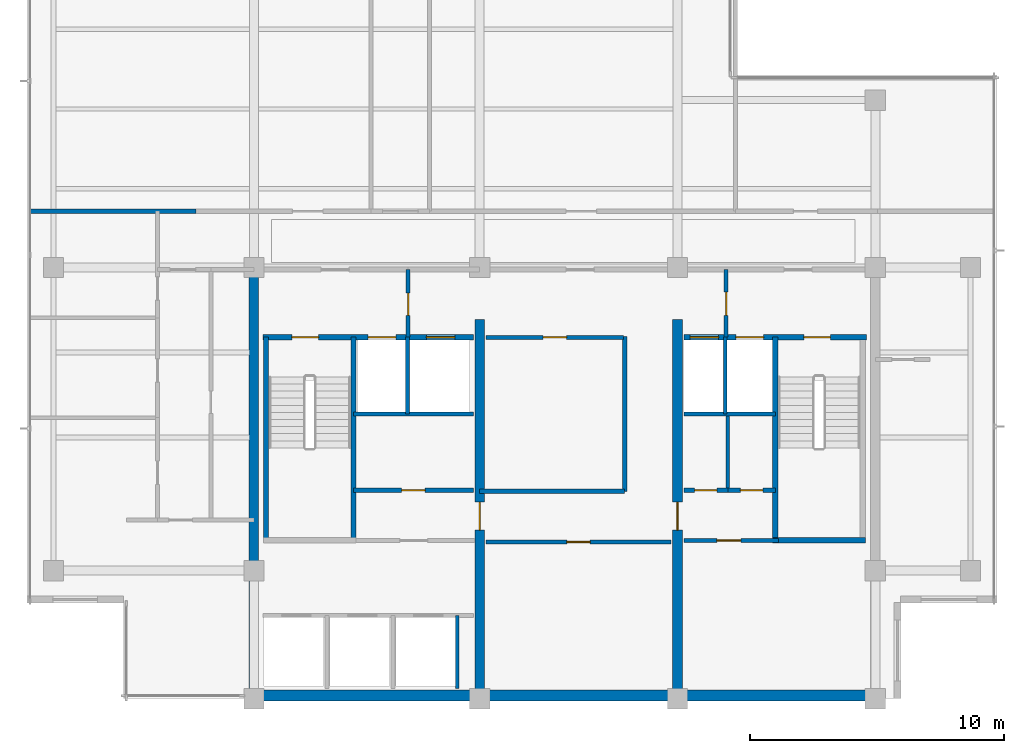
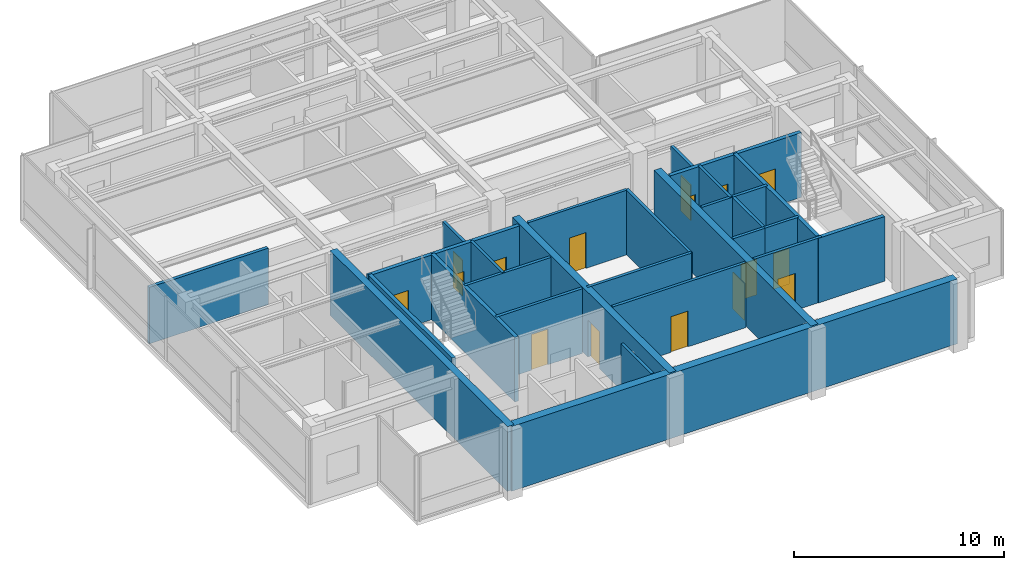
# One storey, part 6 of 11: 27 walls, 16 doors, 16 openings.
"""IFC4 building model written with IfcOpenShell, lengths in metres."""

from ifc_helpers import new_model, si_unit, direction, frame, frame_2d, origin, place, context, subcontext, project, spatial, rectangle, extrude, material, layer, layer_set, type_object, element, fill, save


model = new_model("IFC4")

# Units and contexts
model_context = context("Model", 3, precision=1e-05, world=origin(), true_north=direction((0.0, 1.0)))
body_context = subcontext(model_context, "Body", "Model", "MODEL_VIEW")
ifc_project = project(units=[si_unit("LENGTHUNIT", "METRE"), si_unit("AREAUNIT", "SQUARE_METRE"), si_unit("VOLUMEUNIT", "CUBIC_METRE"), si_unit("PLANEANGLEUNIT", "RADIAN"), si_unit("MASSUNIT", "GRAM", prefix="KILO")], contexts=[model_context])

# Site, building, storey
site_placement = place(None, origin())
site = spatial("IfcSite", under=ifc_project, at=site_placement, CompositionType="ELEMENT")
building_placement = place(site_placement, origin())
building = spatial("IfcBuilding", under=site, at=building_placement, Name="Qalmaran Belvedere Hotel", CompositionType="ELEMENT")
storey_placement = place(building_placement, frame((0.0, 0.0, 289.89990234375)))
storey = spatial("IfcBuildingStorey", under=building, at=storey_placement, Name="L75", CompositionType="ELEMENT", Elevation=289.89990234375)

# Wall
ifc_material_1 = material(Name="Concrete C50/60", Category="concrete")
ifc_layer_1 = layer(ifc_material_1, 0.3798828125, Name="Concrete C50/60")
ifc_layer_set_1 = layer_set([ifc_layer_1], Name="Concrete C50/60")
wall_type_1 = type_object("IfcWallType", Name="WL-CORE-380-C50", PredefinedType="SHEAR", material=ifc_layer_set_1)
wall_1_placement = place(storey_placement, frame((20.300048828125, 3.5, 0.0), z_axis=(0.0, 0.0, 1.0), x_axis=(0.0, 1.0, 0.0)))
element("IfcWall", 1, at=wall_1_placement, inside=storey, type_object=wall_type_1, Name="L75 West Core Shear Wall", PredefinedType="SHEAR", context=body_context, shape_type="SweptSolid", body=[
    extrude(rectangle(XDim=16.89990234375, YDim=0.3798828125, at=frame_2d((8.449951171875, 0.0))), origin(), (0.0, 0.0, 1.0), 3.760009765625),
])

# Wall, opening, door
wall_2_placement = place(storey_placement, frame((29.199951171875, 3.5, 0.0), z_axis=(0.0, 0.0, 1.0), x_axis=(0.0, 1.0, 0.0)))
wall_2 = element("IfcWall", 2, at=wall_2_placement, inside=storey, type_object=wall_type_1, Name="L75 Core West Spine Shear Wall", PredefinedType="SHEAR", context=body_context, shape_type="SweptSolid", body=[
    extrude(rectangle(XDim=14.949951171875, YDim=0.3798828125, at=frame_2d((7.47509765625, 0.0))), origin(), (0.0, 0.0, 1.0), 3.760009765625),
])
opening_1_placement = place(wall_2_placement, frame((7.75, 0.0, 0.0), z_axis=(0.0, 0.0, 1.0), x_axis=(-1.0, 0.0, 0.0)))
opening_1 = element("IfcOpeningElement", 3, at=opening_1_placement, cuts=wall_2, Name="Opening FD90", PredefinedType="OPENING", context=body_context, shape_type="SweptSolid", body=[
    extrude(rectangle(XDim=1.10009765625, YDim=2.14990234375, at=frame_2d((0.550048828125, 1.074951171875))), frame((0.0, 0.199951171875, 0.0), z_axis=(0.0, -1.0, 0.0), x_axis=(1.0, 0.0, 0.0)), (0.0, 0.0, 1.0), 0.39990234375),
])
ifc_material_2 = material(Name="Steel S355JR", Category="steel")
door_type_1 = type_object("IfcDoorType", Name="DR-FD90-1100X2150", OperationType="NOTDEFINED", PredefinedType="DOOR", material=ifc_material_2)
door_1_placement = place(opening_1_placement, origin())
door_1 = element("IfcDoor", 4, at=door_1_placement, inside=storey, type_object=door_type_1, Name="L75 Core West Cross-Lobby Door", OperationType="SINGLE_SWING_RIGHT", OverallHeight=2.14990234375, OverallWidth=1.10009765625, PredefinedType="DOOR", context=body_context, shape_type="SweptSolid", body=[
    extrude(rectangle(XDim=1.10009765625, YDim=2.14990234375, at=frame_2d((0.550048828125, 1.074951171875))), frame((0.0, 0.02490234375, 0.0), z_axis=(0.0, -1.0, 0.0), x_axis=(1.0, 0.0, 0.0)), (0.0, 0.0, 1.0), 0.050048828125),
])
fill(opening_1, door_1)

wall_3_placement = place(storey_placement, frame((37.0, 3.5, 0.0), z_axis=(0.0, 0.0, 1.0), x_axis=(0.0, 1.0, 0.0)))
wall_3 = element("IfcWall", 5, at=wall_3_placement, inside=storey, type_object=wall_type_1, Name="L75 Core East Spine Shear Wall", PredefinedType="SHEAR", context=body_context, shape_type="SweptSolid", body=[
    extrude(rectangle(XDim=14.949951171875, YDim=0.3798828125, at=frame_2d((7.47509765625, 0.0))), origin(), (0.0, 0.0, 1.0), 3.760009765625),
])
opening_2_placement = place(wall_3_placement, frame((6.64990234375, 0.0, 0.0)))
opening_2 = element("IfcOpeningElement", 6, at=opening_2_placement, cuts=wall_3, Name="Opening FD90", PredefinedType="OPENING", context=body_context, shape_type="SweptSolid", body=[
    extrude(rectangle(XDim=1.10009765625, YDim=2.14990234375, at=frame_2d((0.550048828125, 1.074951171875))), frame((0.0, 0.199951171875, 0.0), z_axis=(0.0, -1.0, 0.0), x_axis=(1.0, 0.0, 0.0)), (0.0, 0.0, 1.0), 0.39990234375),
])
door_2_placement = place(opening_2_placement, origin())
door_2 = element("IfcDoor", 7, at=door_2_placement, inside=storey, type_object=door_type_1, Name="L75 Core East Cross-Lobby Door", OperationType="SINGLE_SWING_LEFT", OverallHeight=2.14990234375, OverallWidth=1.10009765625, PredefinedType="DOOR", context=body_context, shape_type="SweptSolid", body=[
    extrude(rectangle(XDim=1.10009765625, YDim=2.14990234375, at=frame_2d((0.550048828125, 1.074951171875))), frame((0.0, 0.02490234375, 0.0), z_axis=(0.0, -1.0, 0.0), x_axis=(1.0, 0.0, 0.0)), (0.0, 0.0, 1.0), 0.050048828125),
])
fill(opening_2, door_2)

# Walls
ifc_layer_2 = layer(ifc_material_1, 0.43994140625, Name="Concrete C50/60")
ifc_layer_set_2 = layer_set([ifc_layer_2], Name="Concrete C50/60")
wall_type_2 = type_object("IfcWallType", Name="WL-CORES-440-EXT", PredefinedType="SHEAR", material=ifc_layer_set_2)
wall_4_placement = place(storey_placement, frame((20.300048828125, 3.6298828125, 0.0), z_axis=(0.0, 0.0, 1.0), x_axis=(1.0, 0.0, 0.0)))
element("IfcWall", 8, at=wall_4_placement, inside=storey, type_object=wall_type_2, Name="L75 South Core Shear Wall", PredefinedType="SHEAR", context=body_context, shape_type="SweptSolid", body=[
    extrude(rectangle(XDim=24.5, YDim=0.43994140625, at=frame_2d((12.25, 0.0))), origin(), (0.0, 0.0, 1.0), 3.760009765625),
])
ifc_material_3 = material(Name="Gypsum Stud Partition")
ifc_layer_3 = layer(ifc_material_3, 0.14990234375, Name="Gypsum Stud Partition")
ifc_layer_set_3 = layer_set([ifc_layer_3], Name="Gypsum Stud Partition")
wall_type_3 = type_object("IfcWallType", Name="WL-INT-150-EI120", PredefinedType="PARTITIONING", material=ifc_layer_set_3)
for number, where, z_axis, x_axis, name in (
    (9, (26.360107421875, 14.719970703125, 0.0), (0.0, 0.0, 1.0), (0.0, 1.0, 0.0), "L75 Partition WL-FF1M-L75"),
    (10, (38.8798828125, 14.719970703125, 0.0), (0.0, 0.0, 1.0), (0.0, 1.0, 0.0), "L75 Partition WL-FF2M-L75"),
):
    element("IfcWall", number, at=place(storey_placement, frame(where, z_axis=z_axis, x_axis=x_axis)), inside=storey, type_object=wall_type_3, Name=name, PredefinedType="PARTITIONING", context=body_context, shape_type="SweptSolid", body=[
        extrude(rectangle(XDim=3.0400390625, YDim=0.14990234375, at=frame_2d((1.52001953125, 0.0))), origin(), (0.0, 0.0, 1.0), 3.760009765625),
    ])
wall_5_placement = place(storey_placement, frame((28.320068359375, 3.89990234375, 0.0), z_axis=(0.0, 0.0, 1.0), x_axis=(0.0, 1.0, 0.0)))
element("IfcWall", 11, at=wall_5_placement, inside=storey, type_object=wall_type_3, Name="L75 Partition WL-POM3-L75", PredefinedType="PARTITIONING", context=body_context, shape_type="SweptSolid", body=[
    extrude(rectangle(XDim=2.880126953125, YDim=0.14990234375, at=frame_2d((1.43994140625, 0.0))), origin(), (0.0, 0.0, 1.0), 3.760009765625),
])
ifc_layer_4 = layer(ifc_material_3, 0.14990234375, Name="Gypsum Stud Partition")
ifc_layer_set_4 = layer_set([ifc_layer_4], Name="Gypsum Stud Partition")
wall_type_4 = type_object("IfcWallType", Name="WL-INT-150-EI60", PredefinedType="PARTITIONING", material=ifc_layer_set_4)
wall_6_placement = place(storey_placement, frame((38.98291015625, 11.719970703125, 0.0), z_axis=(0.0, 0.0, 1.0), x_axis=(0.0, 1.0, 0.0)))
element("IfcWall", 12, at=wall_6_placement, inside=storey, type_object=wall_type_4, Name="L75 Partition WL-L75-KEV1", PredefinedType="PARTITIONING", context=body_context, shape_type="SweptSolid", body=[
    extrude(rectangle(XDim=2.929931640625, YDim=0.14990234375, at=frame_2d((1.46484375, 0.0))), origin(), (0.0, 0.0, 1.0), 3.760009765625),
])

# Wall, opening, door
ifc_layer_5 = layer(ifc_material_3, 0.159912109375, Name="Gypsum Stud Partition")
ifc_layer_set_5 = layer_set([ifc_layer_5], Name="Gypsum Stud Partition")
wall_type_5 = type_object("IfcWallType", Name="WL-INT-160-EI120", PredefinedType="PARTITIONING", material=ifc_layer_set_5)
wall_7_placement = place(storey_placement, frame((26.3798828125, 17.760009765625, 0.0), z_axis=(0.0, 0.0, 1.0), x_axis=(0.0, 1.0, 0.0)))
wall_7 = element("IfcWall", 13, at=wall_7_placement, inside=storey, type_object=wall_type_5, Name="L75 Partition WL-FFSV1-L75", PredefinedType="PARTITIONING", context=body_context, shape_type="SweptSolid", body=[
    extrude(rectangle(XDim=2.659912109375, YDim=0.159912109375, at=frame_2d((1.330078125, 0.0))), origin(), (0.0, 0.0, 1.0), 3.281982421875),
])
opening_3_placement = place(wall_7_placement, frame((0.85009765625, 0.0, 0.0)))
opening_3 = element("IfcOpeningElement", 14, at=opening_3_placement, cuts=wall_7, Name="Opening FD60B", PredefinedType="OPENING", context=body_context, shape_type="SweptSolid", body=[
    extrude(rectangle(XDim=0.8798828125, YDim=2.080078125, at=frame_2d((0.43994140625, 1.0400390625))), frame((0.0, 0.08984375, 0.0), z_axis=(0.0, -1.0, 0.0), x_axis=(1.0, 0.0, 0.0)), (0.0, 0.0, 1.0), 0.179931640625),
])
door_type_2 = type_object("IfcDoorType", Name="DR-FD60B-880X2080", OperationType="NOTDEFINED", PredefinedType="DOOR", material=ifc_material_2)
door_3_placement = place(opening_3_placement, origin())
door_3 = element("IfcDoor", 15, at=door_3_placement, inside=storey, type_object=door_type_2, Name="L75 Service Lobby West Door", OperationType="SINGLE_SWING_RIGHT", OverallHeight=2.080078125, OverallWidth=0.8798828125, PredefinedType="DOOR", context=body_context, shape_type="SweptSolid", body=[
    extrude(rectangle(XDim=0.8798828125, YDim=2.080078125, at=frame_2d((0.43994140625, 1.0400390625))), frame((0.0, 0.02490234375, 0.0), z_axis=(0.0, -1.0, 0.0), x_axis=(1.0, 0.0, 0.0)), (0.0, 0.0, 1.0), 0.050048828125),
])
fill(opening_3, door_3)

wall_8_placement = place(storey_placement, frame((38.919921875, 17.760009765625, 0.0), z_axis=(0.0, 0.0, 1.0), x_axis=(0.0, 1.0, 0.0)))
wall_8 = element("IfcWall", 16, at=wall_8_placement, inside=storey, type_object=wall_type_5, Name="L75 Partition WL-FFSV2-L75", PredefinedType="PARTITIONING", context=body_context, shape_type="SweptSolid", body=[
    extrude(rectangle(XDim=2.659912109375, YDim=0.159912109375, at=frame_2d((1.330078125, 0.0))), origin(), (0.0, 0.0, 1.0), 3.281982421875),
])
opening_4_placement = place(wall_8_placement, frame((1.77001953125, 0.0, 0.0), z_axis=(0.0, 0.0, 1.0), x_axis=(-1.0, 0.0, 0.0)))
opening_4 = element("IfcOpeningElement", 17, at=opening_4_placement, cuts=wall_8, Name="Opening FD60S1", PredefinedType="OPENING", context=body_context, shape_type="SweptSolid", body=[
    extrude(rectangle(XDim=0.919921875, YDim=2.080078125, at=frame_2d((0.4599609375, 1.0400390625))), frame((0.0, 0.08984375, 0.0), z_axis=(0.0, -1.0, 0.0), x_axis=(1.0, 0.0, 0.0)), (0.0, 0.0, 1.0), 0.179931640625),
])
ifc_material_4 = material(Name="Engineered Oak Veneer")
door_type_3 = type_object("IfcDoorType", Name="DR-FD60S-920X2080", OperationType="NOTDEFINED", PredefinedType="DOOR", material=ifc_material_4)
door_4_placement = place(opening_4_placement, origin())
door_4 = element("IfcDoor", 18, at=door_4_placement, inside=storey, type_object=door_type_3, Name="L75 Service Lobby East Door", OperationType="SINGLE_SWING_LEFT", OverallHeight=2.080078125, OverallWidth=0.919921875, PredefinedType="DOOR", context=body_context, shape_type="SweptSolid", body=[
    extrude(rectangle(XDim=0.919921875, YDim=2.080078125, at=frame_2d((0.4599609375, 1.0400390625))), frame((0.0, 0.02490234375, 0.0), z_axis=(0.0, -1.0, 0.0), x_axis=(1.0, 0.0, 0.0)), (0.0, 0.0, 1.0), 0.050048828125),
])
fill(opening_4, door_4)

# Walls
wall_9_placement = place(storey_placement, frame((24.219970703125, 14.719970703125, 0.0), z_axis=(0.0, 0.0, 1.0), x_axis=(1.0, 0.0, 0.0)))
element("IfcWall", 19, at=wall_9_placement, inside=storey, type_object=wall_type_5, Name="L75 Partition WL-FF1S-L75", PredefinedType="PARTITIONING", context=body_context, shape_type="SweptSolid", body=[
    extrude(rectangle(XDim=4.72998046875, YDim=0.159912109375, at=frame_2d((2.364990234375, 0.0))), origin(), (0.0, 0.0, 1.0), 3.760009765625),
])
wall_10_placement = place(storey_placement, frame((37.25, 14.719970703125, 0.0), z_axis=(0.0, 0.0, 1.0), x_axis=(1.0, 0.0, 0.0)))
element("IfcWall", 20, at=wall_10_placement, inside=storey, type_object=wall_type_5, Name="L75 Partition WL-FF2S-L75", PredefinedType="PARTITIONING", context=body_context, shape_type="SweptSolid", body=[
    extrude(rectangle(XDim=3.610107421875, YDim=0.159912109375, at=frame_2d((1.80517578125, 0.0))), origin(), (0.0, 0.0, 1.0), 3.760009765625),
])

# Wall, opening, door
ifc_layer_6 = layer(ifc_material_3, 0.159912109375, Name="Gypsum Stud Partition")
ifc_layer_set_6 = layer_set([ifc_layer_6], Name="Gypsum Stud Partition")
wall_type_6 = type_object("IfcWallType", Name="WL-INT-160-EI60", PredefinedType="PARTITIONING", material=ifc_layer_set_6)
wall_11_placement = place(storey_placement, frame((24.219970703125, 11.719970703125, 0.0), z_axis=(0.0, 0.0, 1.0), x_axis=(1.0, 0.0, 0.0)))
wall_11 = element("IfcWall", 21, at=wall_11_placement, inside=storey, type_object=wall_type_6, Name="L75 Partition WL-L75-KWE1", PredefinedType="PARTITIONING", context=body_context, shape_type="SweptSolid", body=[
    extrude(rectangle(XDim=4.72998046875, YDim=0.159912109375, at=frame_2d((2.364990234375, 0.0))), origin(), (0.0, 0.0, 1.0), 3.760009765625),
])
opening_5_placement = place(wall_11_placement, frame((1.905029296875, 0.0, 0.0)))
opening_5 = element("IfcOpeningElement", 22, at=opening_5_placement, cuts=wall_11, Name="Opening FD60S1", PredefinedType="OPENING", context=body_context, shape_type="SweptSolid", body=[
    extrude(rectangle(XDim=0.919921875, YDim=2.080078125, at=frame_2d((0.4599609375, 1.0400390625))), frame((0.0, 0.08984375, 0.0), z_axis=(0.0, -1.0, 0.0), x_axis=(1.0, 0.0, 0.0)), (0.0, 0.0, 1.0), 0.179931640625),
])
door_5_placement = place(opening_5_placement, origin())
door_5 = element("IfcDoor", 23, at=door_5_placement, inside=storey, type_object=door_type_3, Name="L75 Electrical Distribution Room Door", OperationType="SINGLE_SWING_LEFT", OverallHeight=2.080078125, OverallWidth=0.919921875, PredefinedType="DOOR", context=body_context, shape_type="SweptSolid", body=[
    extrude(rectangle(XDim=0.919921875, YDim=2.080078125, at=frame_2d((0.4599609375, 1.0400390625))), frame((0.0, 0.02490234375, 0.0), z_axis=(0.0, -1.0, 0.0), x_axis=(1.0, 0.0, 0.0)), (0.0, 0.0, 1.0), 0.050048828125),
])
fill(opening_5, door_5)

wall_12_placement = place(storey_placement, frame((37.25, 11.719970703125, 0.0), z_axis=(0.0, 0.0, 1.0), x_axis=(1.0, 0.0, 0.0)))
wall_12 = element("IfcWall", 24, at=wall_12_placement, inside=storey, type_object=wall_type_6, Name="L75 Partition WL-L75-KEE1", PredefinedType="PARTITIONING", context=body_context, shape_type="SweptSolid", body=[
    extrude(rectangle(XDim=1.73291015625, YDim=0.159912109375, at=frame_2d((0.866455078125, 0.0))), origin(), (0.0, 0.0, 1.0), 3.760009765625),
])
opening_6_placement = place(wall_12_placement, frame((0.426513671875, 0.0, 0.0)))
opening_6 = element("IfcOpeningElement", 25, at=opening_6_placement, cuts=wall_12, Name="Opening FD60B", PredefinedType="OPENING", context=body_context, shape_type="SweptSolid", body=[
    extrude(rectangle(XDim=0.8798828125, YDim=2.080078125, at=frame_2d((0.43994140625, 1.0400390625))), frame((0.0, 0.08984375, 0.0), z_axis=(0.0, -1.0, 0.0), x_axis=(1.0, 0.0, 0.0)), (0.0, 0.0, 1.0), 0.179931640625),
])
door_6_placement = place(opening_6_placement, origin())
door_6 = element("IfcDoor", 26, at=door_6_placement, inside=storey, type_object=door_type_2, Name="L75 Cleaner Equipment Store Door", OperationType="SINGLE_SWING_RIGHT", OverallHeight=2.080078125, OverallWidth=0.8798828125, PredefinedType="DOOR", context=body_context, shape_type="SweptSolid", body=[
    extrude(rectangle(XDim=0.8798828125, YDim=2.080078125, at=frame_2d((0.43994140625, 1.0400390625))), frame((0.0, 0.02490234375, 0.0), z_axis=(0.0, -1.0, 0.0), x_axis=(1.0, 0.0, 0.0)), (0.0, 0.0, 1.0), 0.050048828125),
])
fill(opening_6, door_6)

wall_13_placement = place(storey_placement, frame((38.98291015625, 11.719970703125, 0.0), z_axis=(0.0, 0.0, 1.0), x_axis=(1.0, 0.0, 0.0)))
wall_13 = element("IfcWall", 27, at=wall_13_placement, inside=storey, type_object=wall_type_6, Name="L75 Partition WL-L75-KEE2", PredefinedType="PARTITIONING", context=body_context, shape_type="SweptSolid", body=[
    extrude(rectangle(XDim=1.877197265625, YDim=0.159912109375, at=frame_2d((0.9384765625, 0.0))), origin(), (0.0, 0.0, 1.0), 3.760009765625),
])
opening_7_placement = place(wall_13_placement, frame((0.49853515625, 0.0, 0.0)))
opening_7 = element("IfcOpeningElement", 28, at=opening_7_placement, cuts=wall_13, Name="Opening FD60B", PredefinedType="OPENING", context=body_context, shape_type="SweptSolid", body=[
    extrude(rectangle(XDim=0.8798828125, YDim=2.080078125, at=frame_2d((0.43994140625, 1.0400390625))), frame((0.0, 0.08984375, 0.0), z_axis=(0.0, -1.0, 0.0), x_axis=(1.0, 0.0, 0.0)), (0.0, 0.0, 1.0), 0.179931640625),
])
door_7_placement = place(opening_7_placement, origin())
door_7 = element("IfcDoor", 29, at=door_7_placement, inside=storey, type_object=door_type_2, Name="L75 Low Voltage Switch Room Door", OperationType="SINGLE_SWING_LEFT", OverallHeight=2.080078125, OverallWidth=0.8798828125, PredefinedType="DOOR", context=body_context, shape_type="SweptSolid", body=[
    extrude(rectangle(XDim=0.8798828125, YDim=2.080078125, at=frame_2d((0.43994140625, 1.0400390625))), frame((0.0, 0.02490234375, 0.0), z_axis=(0.0, -1.0, 0.0), x_axis=(1.0, 0.0, 0.0)), (0.0, 0.0, 1.0), 0.050048828125),
])
fill(opening_7, door_7)

wall_14_placement = place(storey_placement, frame((37.25, 9.739990234375, 0.0), z_axis=(0.0, 0.0, 1.0), x_axis=(1.0, 0.0, 0.0)))
wall_14 = element("IfcWall", 30, at=wall_14_placement, inside=storey, type_object=wall_type_6, Name="L75 Partition WL-PHFR-L75", PredefinedType="PARTITIONING", context=body_context, shape_type="SweptSolid", body=[
    extrude(rectangle(XDim=3.72998046875, YDim=0.159912109375, at=frame_2d((1.864990234375, 0.0))), origin(), (0.0, 0.0, 1.0), 3.760009765625),
])
opening_8_placement = place(wall_14_placement, frame((2.25, 0.0, 0.0), z_axis=(0.0, 0.0, 1.0), x_axis=(-1.0, 0.0, 0.0)))
opening_8 = element("IfcOpeningElement", 31, at=opening_8_placement, cuts=wall_14, Name="Opening FD60", PredefinedType="OPENING", context=body_context, shape_type="SweptSolid", body=[
    extrude(rectangle(XDim=0.949951171875, YDim=2.14990234375, at=frame_2d((0.47509765625, 1.074951171875))), frame((0.0, 0.08984375, 0.0), z_axis=(0.0, -1.0, 0.0), x_axis=(1.0, 0.0, 0.0)), (0.0, 0.0, 1.0), 0.179931640625),
])
door_type_4 = type_object("IfcDoorType", Name="DR-FD60-950X2150", OperationType="NOTDEFINED", PredefinedType="DOOR", material=ifc_material_4)
door_8_placement = place(opening_8_placement, origin())
door_8 = element("IfcDoor", 32, at=door_8_placement, inside=storey, type_object=door_type_4, Name="L75 Freed PH Room Door", OperationType="SINGLE_SWING_LEFT", OverallHeight=2.14990234375, OverallWidth=0.949951171875, PredefinedType="DOOR", context=body_context, shape_type="SweptSolid", body=[
    extrude(rectangle(XDim=0.949951171875, YDim=2.14990234375, at=frame_2d((0.47509765625, 1.074951171875))), frame((0.0, 0.02490234375, 0.0), z_axis=(0.0, -1.0, 0.0), x_axis=(1.0, 0.0, 0.0)), (0.0, 0.0, 1.0), 0.050048828125),
])
fill(opening_8, door_8)

# Wall
wall_15_placement = place(storey_placement, frame((34.919921875, 11.679931640625, 0.0), z_axis=(0.0, 0.0, 1.0), x_axis=(0.0, 1.0, 0.0)))
element("IfcWall", 33, at=wall_15_placement, inside=storey, type_object=wall_type_6, Name="L75 Partition WL-CLLV-L75", PredefinedType="PARTITIONING", context=body_context, shape_type="SweptSolid", body=[
    extrude(rectangle(XDim=6.10009765625, YDim=0.159912109375, at=frame_2d((3.050048828125, 0.0))), origin(), (0.0, 0.0, 1.0), 3.760009765625),
])

# Wall, opening, door
wall_16_placement = place(storey_placement, frame((29.449951171875, 9.679931640625, 0.0), z_axis=(0.0, 0.0, 1.0), x_axis=(1.0, 0.0, 0.0)))
wall_16 = element("IfcWall", 34, at=wall_16_placement, inside=storey, type_object=wall_type_6, Name="L75 Partition WL-L75-KPLE1", PredefinedType="PARTITIONING", context=body_context, shape_type="SweptSolid", body=[
    extrude(rectangle(XDim=7.300048828125, YDim=0.159912109375, at=frame_2d((3.64990234375, 0.0))), origin(), (0.0, 0.0, 1.0), 3.760009765625),
])
opening_9_placement = place(wall_16_placement, frame((4.10986328125, 0.0, 0.0), z_axis=(0.0, 0.0, 1.0), x_axis=(-1.0, 0.0, 0.0)))
opening_9 = element("IfcOpeningElement", 35, at=opening_9_placement, cuts=wall_16, Name="Opening FD60S1", PredefinedType="OPENING", context=body_context, shape_type="SweptSolid", body=[
    extrude(rectangle(XDim=0.919921875, YDim=2.080078125, at=frame_2d((0.4599609375, 1.0400390625))), frame((0.0, 0.08984375, 0.0), z_axis=(0.0, -1.0, 0.0), x_axis=(1.0, 0.0, 0.0)), (0.0, 0.0, 1.0), 0.179931640625),
])
door_9_placement = place(opening_9_placement, origin())
door_9 = element("IfcDoor", 36, at=door_9_placement, inside=storey, type_object=door_type_3, Name="L75 Housekeeping and Linen Room Door", OperationType="SINGLE_SWING_RIGHT", OverallHeight=2.080078125, OverallWidth=0.919921875, PredefinedType="DOOR", context=body_context, shape_type="SweptSolid", body=[
    extrude(rectangle(XDim=0.919921875, YDim=2.080078125, at=frame_2d((0.4599609375, 1.0400390625))), frame((0.0, 0.02490234375, 0.0), z_axis=(0.0, -1.0, 0.0), x_axis=(1.0, 0.0, 0.0)), (0.0, 0.0, 1.0), 0.050048828125),
])
fill(opening_9, door_9)

# Wall
wall_17_placement = place(storey_placement, frame((29.199951171875, 11.679931640625, 0.0), z_axis=(0.0, 0.0, 1.0), x_axis=(1.0, 0.0, 0.0)))
element("IfcWall", 37, at=wall_17_placement, inside=storey, type_object=wall_type_6, Name="L75 Partition WL-PMFS-L75", PredefinedType="PARTITIONING", context=body_context, shape_type="SweptSolid", body=[
    extrude(rectangle(XDim=5.719970703125, YDim=0.159912109375, at=frame_2d((2.85986328125, 0.0))), origin(), (0.0, 0.0, 1.0), 3.760009765625),
])

# Wall, opening, door
wall_18_placement = place(storey_placement, frame((29.449951171875, 17.75, 0.0), z_axis=(0.0, 0.0, 1.0), x_axis=(1.0, 0.0, 0.0)))
wall_18 = element("IfcWall", 38, at=wall_18_placement, inside=storey, type_object=wall_type_6, Name="L75 Partition WL-L75-KPME1", PredefinedType="PARTITIONING", context=body_context, shape_type="SweptSolid", body=[
    extrude(rectangle(XDim=5.429931640625, YDim=0.159912109375, at=frame_2d((2.71484375, 0.0))), origin(), (0.0, 0.0, 1.0), 3.760009765625),
])
opening_10_placement = place(wall_18_placement, frame((3.1748046875, 0.0, 0.0), z_axis=(0.0, 0.0, 1.0), x_axis=(-1.0, 0.0, 0.0)))
opening_10 = element("IfcOpeningElement", 39, at=opening_10_placement, cuts=wall_18, Name="Opening FD60S1", PredefinedType="OPENING", context=body_context, shape_type="SweptSolid", body=[
    extrude(rectangle(XDim=0.919921875, YDim=2.080078125, at=frame_2d((0.4599609375, 1.0400390625))), frame((0.0, 0.08984375, 0.0), z_axis=(0.0, -1.0, 0.0), x_axis=(1.0, 0.0, 0.0)), (0.0, 0.0, 1.0), 0.179931640625),
])
door_10_placement = place(opening_10_placement, origin())
door_10 = element("IfcDoor", 40, at=door_10_placement, inside=storey, type_object=door_type_3, Name="L75 Executive Butler Pantry Door", OperationType="SINGLE_SWING_LEFT", OverallHeight=2.080078125, OverallWidth=0.919921875, PredefinedType="DOOR", context=body_context, shape_type="SweptSolid", body=[
    extrude(rectangle(XDim=0.919921875, YDim=2.080078125, at=frame_2d((0.4599609375, 1.0400390625))), frame((0.0, 0.02490234375, 0.0), z_axis=(0.0, -1.0, 0.0), x_axis=(1.0, 0.0, 0.0)), (0.0, 0.0, 1.0), 0.050048828125),
])
fill(opening_10, door_10)

# Walls
ifc_layer_7 = layer(ifc_material_3, 0.179931640625, Name="Gypsum Stud Partition")
ifc_layer_set_7 = layer_set([ifc_layer_7], Name="Gypsum Stud Partition")
wall_type_7 = type_object("IfcWallType", Name="WL-INT-180-EI60", PredefinedType="PARTITIONING", material=ifc_layer_set_7)
wall_19_placement = place(storey_placement, frame((11.469970703125, 22.719970703125, 0.0), z_axis=(0.0, 0.0, 1.0), x_axis=(1.0, 0.0, 0.0)))
element("IfcWall", 41, at=wall_19_placement, inside=storey, type_object=wall_type_7, Name="L75 Partition WL-L75-WCN", PredefinedType="PARTITIONING", context=body_context, shape_type="SweptSolid", body=[
    extrude(rectangle(XDim=6.550048828125, YDim=0.179931640625, at=frame_2d((3.27490234375, 0.0))), origin(), (0.0, 0.0, 1.0), 3.281982421875),
])
ifc_layer_8 = layer(ifc_material_1, 0.2099609375, Name="Concrete C50/60")
ifc_layer_set_8 = layer_set([ifc_layer_8], Name="Concrete C50/60")
wall_type_8 = type_object("IfcWallType", Name="WL-STAIR-210-C50", PredefinedType="SHEAR", material=ifc_layer_set_8)
for number, where, z_axis, x_axis, name in (
    (42, (20.77490234375, 9.7451171875, 0.0), (0.0, 0.0, 1.0), (0.0, 1.0, 0.0), "L75 Stair ST-1 West Bearing Wall"),
    (43, (24.22509765625, 9.7451171875, 0.0), (0.0, 0.0, 1.0), (0.0, 1.0, 0.0), "L75 Stair ST-1 East Bearing Wall"),
):
    element("IfcWall", number, at=place(storey_placement, frame(where, z_axis=z_axis, x_axis=x_axis)), inside=storey, type_object=wall_type_8, Name=name, PredefinedType="SHEAR", context=body_context, shape_type="SweptSolid", body=[
        extrude(rectangle(XDim=8.009765625, YDim=0.2099609375, at=frame_2d((4.0048828125, 0.0))), origin(), (0.0, 0.0, 1.0), 3.760009765625),
    ])

# Wall, openings, doors
wall_20_placement = place(storey_placement, frame((20.64990234375, 17.7548828125, 0.0), z_axis=(0.0, 0.0, 1.0), x_axis=(1.0, 0.0, 0.0)))
wall_20 = element("IfcWall", 44, at=wall_20_placement, inside=storey, type_object=wall_type_8, Name="L75 West Lobby and Stair ST-1 North Bearing Wall", PredefinedType="SHEAR", context=body_context, shape_type="SweptSolid", body=[
    extrude(rectangle(XDim=8.300048828125, YDim=0.2099609375, at=frame_2d((4.14990234375, 0.0))), origin(), (0.0, 0.0, 1.0), 3.760009765625),
])
opening_11_placement = place(wall_20_placement, frame((2.199951171875, 0.0, 0.0), z_axis=(0.0, 0.0, 1.0), x_axis=(-1.0, 0.0, 0.0)))
opening_11 = element("IfcOpeningElement", 45, at=opening_11_placement, cuts=wall_20, Name="Opening FD90S2", PredefinedType="OPENING", context=body_context, shape_type="SweptSolid", body=[
    extrude(rectangle(XDim=1.050048828125, YDim=2.14990234375, at=frame_2d((0.52490234375, 1.074951171875))), frame((0.0, 0.114990234375, 0.0), z_axis=(0.0, -1.0, 0.0), x_axis=(1.0, 0.0, 0.0)), (0.0, 0.0, 1.0), 0.22998046875),
])
opening_12_placement = place(wall_20_placement, frame((4.14990234375, 0.0, 0.0)))
opening_12 = element("IfcOpeningElement", 46, at=opening_12_placement, cuts=wall_20, Name="Opening LD-FF", PredefinedType="OPENING", context=body_context, shape_type="SweptSolid", body=[
    extrude(rectangle(XDim=1.10009765625, YDim=2.179931640625, at=frame_2d((0.550048828125, 1.08984375))), frame((0.0, 0.114990234375, 0.0), z_axis=(0.0, -1.0, 0.0), x_axis=(1.0, 0.0, 0.0)), (0.0, 0.0, 1.0), 0.22998046875),
])
opening_13_placement = place(wall_20_placement, frame((6.449951171875, 0.0, 0.0)))
opening_13 = element("IfcOpeningElement", 47, at=opening_13_placement, cuts=wall_20, Name="Opening LD-SV", PredefinedType="OPENING", context=body_context, shape_type="SweptSolid", body=[
    extrude(rectangle(XDim=1.1201171875, YDim=2.199951171875, at=frame_2d((0.56005859375, 1.10009765625))), frame((0.0, 0.114990234375, 0.0), z_axis=(0.0, -1.0, 0.0), x_axis=(1.0, 0.0, 0.0)), (0.0, 0.0, 1.0), 0.22998046875),
])
door_type_5 = type_object("IfcDoorType", Name="DR-FD90S-1050X2150", OperationType="NOTDEFINED", PredefinedType="DOOR", material=ifc_material_2)
door_11_placement = place(opening_11_placement, origin())
door_11 = element("IfcDoor", 48, at=door_11_placement, inside=storey, type_object=door_type_5, Name="L75 Stair ST-1 Door", OperationType="SINGLE_SWING_RIGHT", OverallHeight=2.14990234375, OverallWidth=1.050048828125, PredefinedType="DOOR", context=body_context, shape_type="SweptSolid", body=[
    extrude(rectangle(XDim=1.050048828125, YDim=2.14990234375, at=frame_2d((0.52490234375, 1.074951171875))), frame((0.0, 0.02490234375, 0.0), z_axis=(0.0, -1.0, 0.0), x_axis=(1.0, 0.0, 0.0)), (0.0, 0.0, 1.0), 0.050048828125),
])
fill(opening_11, door_11)
ifc_material_5 = material(Name="Stainless Steel 1.4401", Category="steel")
door_type_6 = type_object("IfcDoorType", Name="DR-LIFT-FF-1100X2180", OperationType="DOUBLE_DOOR_SLIDING", PredefinedType="DOOR", material=ifc_material_5)
door_12_placement = place(opening_12_placement, origin())
door_12 = element("IfcDoor", 49, at=door_12_placement, inside=storey, type_object=door_type_6, Name="L75 FF1 Lift Landing Door", OperationType="DOUBLE_DOOR_SLIDING", OverallHeight=2.179931640625, OverallWidth=1.10009765625, PredefinedType="DOOR", context=body_context, shape_type="SweptSolid", body=[
    extrude(rectangle(XDim=1.10009765625, YDim=2.179931640625, at=frame_2d((0.550048828125, 1.08984375))), frame((0.0, 0.02490234375, 0.0), z_axis=(0.0, -1.0, 0.0), x_axis=(1.0, 0.0, 0.0)), (0.0, 0.0, 1.0), 0.050048828125),
])
fill(opening_12, door_12)
door_type_7 = type_object("IfcDoorType", Name="DR-LIFT-SV-1120X2200", OperationType="DOUBLE_DOOR_SLIDING", PredefinedType="DOOR", material=ifc_material_5)
door_13_placement = place(opening_13_placement, origin())
door_13 = element("IfcDoor", 50, at=door_13_placement, inside=storey, type_object=door_type_7, Name="L75 SV1 Lift Landing Door", OperationType="DOUBLE_DOOR_SLIDING", OverallHeight=2.199951171875, OverallWidth=1.1201171875, PredefinedType="DOOR", context=body_context, shape_type="SweptSolid", body=[
    extrude(rectangle(XDim=1.1201171875, YDim=2.199951171875, at=frame_2d((0.56005859375, 1.10009765625))), frame((0.0, 0.02490234375, 0.0), z_axis=(0.0, -1.0, 0.0), x_axis=(1.0, 0.0, 0.0)), (0.0, 0.0, 1.0), 0.050048828125),
])
fill(opening_13, door_13)

# Walls
wall_21_placement = place(storey_placement, frame((40.85498046875, 9.7451171875, 0.0), z_axis=(0.0, 0.0, 1.0), x_axis=(0.0, 1.0, 0.0)))
element("IfcWall", 51, at=wall_21_placement, inside=storey, type_object=wall_type_8, Name="L75 Stair ST-2 West Bearing Wall", PredefinedType="SHEAR", context=body_context, shape_type="SweptSolid", body=[
    extrude(rectangle(XDim=8.009765625, YDim=0.2099609375, at=frame_2d((4.0048828125, 0.0))), origin(), (0.0, 0.0, 1.0), 3.760009765625),
])
wall_22_placement = place(storey_placement, frame((40.75, 9.7451171875, 0.0), z_axis=(0.0, 0.0, 1.0), x_axis=(1.0, 0.0, 0.0)))
element("IfcWall", 52, at=wall_22_placement, inside=storey, type_object=wall_type_8, Name="L75 Stair ST-2 South Bearing Wall", PredefinedType="SHEAR", context=body_context, shape_type="SweptSolid", body=[
    extrude(rectangle(XDim=3.659912109375, YDim=0.2099609375, at=frame_2d((1.830078125, 0.0))), origin(), (0.0, 0.0, 1.0), 3.760009765625),
])

# Wall, openings, doors
wall_23_placement = place(storey_placement, frame((37.25, 17.7548828125, 0.0), z_axis=(0.0, 0.0, 1.0), x_axis=(1.0, 0.0, 0.0)))
wall_23 = element("IfcWall", 53, at=wall_23_placement, inside=storey, type_object=wall_type_8, Name="L75 East Lobby and Stair ST-2 North Bearing Wall", PredefinedType="SHEAR", context=body_context, shape_type="SweptSolid", body=[
    extrude(rectangle(XDim=7.199951171875, YDim=0.2099609375, at=frame_2d((3.60009765625, 0.0))), origin(), (0.0, 0.0, 1.0), 3.760009765625),
])
opening_14_placement = place(wall_23_placement, frame((0.25, 0.0, 0.0)))
opening_14 = element("IfcOpeningElement", 54, at=opening_14_placement, cuts=wall_23, Name="Opening LD-SV", PredefinedType="OPENING", context=body_context, shape_type="SweptSolid", body=[
    extrude(rectangle(XDim=1.1201171875, YDim=2.199951171875, at=frame_2d((0.56005859375, 1.10009765625))), frame((0.0, 0.114990234375, 0.0), z_axis=(0.0, -1.0, 0.0), x_axis=(1.0, 0.0, 0.0)), (0.0, 0.0, 1.0), 0.22998046875),
])
opening_15_placement = place(wall_23_placement, frame((2.050048828125, 0.0, 0.0)))
opening_15 = element("IfcOpeningElement", 55, at=opening_15_placement, cuts=wall_23, Name="Opening LD-FF", PredefinedType="OPENING", context=body_context, shape_type="SweptSolid", body=[
    extrude(rectangle(XDim=1.10009765625, YDim=2.179931640625, at=frame_2d((0.550048828125, 1.08984375))), frame((0.0, 0.114990234375, 0.0), z_axis=(0.0, -1.0, 0.0), x_axis=(1.0, 0.0, 0.0)), (0.0, 0.0, 1.0), 0.22998046875),
])
opening_16_placement = place(wall_23_placement, frame((5.780029296875, 0.0, 0.0), z_axis=(0.0, 0.0, 1.0), x_axis=(-1.0, 0.0, 0.0)))
opening_16 = element("IfcOpeningElement", 56, at=opening_16_placement, cuts=wall_23, Name="Opening FD90S2", PredefinedType="OPENING", context=body_context, shape_type="SweptSolid", body=[
    extrude(rectangle(XDim=1.050048828125, YDim=2.14990234375, at=frame_2d((0.52490234375, 1.074951171875))), frame((0.0, 0.114990234375, 0.0), z_axis=(0.0, -1.0, 0.0), x_axis=(1.0, 0.0, 0.0)), (0.0, 0.0, 1.0), 0.22998046875),
])
door_14_placement = place(opening_16_placement, origin())
door_14 = element("IfcDoor", 57, at=door_14_placement, inside=storey, type_object=door_type_5, Name="L75 Stair ST-2 Door", OperationType="SINGLE_SWING_LEFT", OverallHeight=2.14990234375, OverallWidth=1.050048828125, PredefinedType="DOOR", context=body_context, shape_type="SweptSolid", body=[
    extrude(rectangle(XDim=1.050048828125, YDim=2.14990234375, at=frame_2d((0.52490234375, 1.074951171875))), frame((0.0, 0.02490234375, 0.0), z_axis=(0.0, -1.0, 0.0), x_axis=(1.0, 0.0, 0.0)), (0.0, 0.0, 1.0), 0.050048828125),
])
fill(opening_16, door_14)
door_15_placement = place(opening_15_placement, origin())
door_15 = element("IfcDoor", 58, at=door_15_placement, inside=storey, type_object=door_type_6, Name="L75 FF2 Lift Landing Door", OperationType="DOUBLE_DOOR_SLIDING", OverallHeight=2.179931640625, OverallWidth=1.10009765625, PredefinedType="DOOR", context=body_context, shape_type="SweptSolid", body=[
    extrude(rectangle(XDim=1.10009765625, YDim=2.179931640625, at=frame_2d((0.550048828125, 1.08984375))), frame((0.0, 0.02490234375, 0.0), z_axis=(0.0, -1.0, 0.0), x_axis=(1.0, 0.0, 0.0)), (0.0, 0.0, 1.0), 0.050048828125),
])
fill(opening_15, door_15)
door_16_placement = place(opening_14_placement, origin())
door_16 = element("IfcDoor", 59, at=door_16_placement, inside=storey, type_object=door_type_7, Name="L75 SV2 Lift Landing Door", OperationType="DOUBLE_DOOR_SLIDING", OverallHeight=2.199951171875, OverallWidth=1.1201171875, PredefinedType="DOOR", context=body_context, shape_type="SweptSolid", body=[
    extrude(rectangle(XDim=1.1201171875, YDim=2.199951171875, at=frame_2d((0.56005859375, 1.10009765625))), frame((0.0, 0.02490234375, 0.0), z_axis=(0.0, -1.0, 0.0), x_axis=(1.0, 0.0, 0.0)), (0.0, 0.0, 1.0), 0.050048828125),
])
fill(opening_14, door_16)

save(model, "model.ifc")
